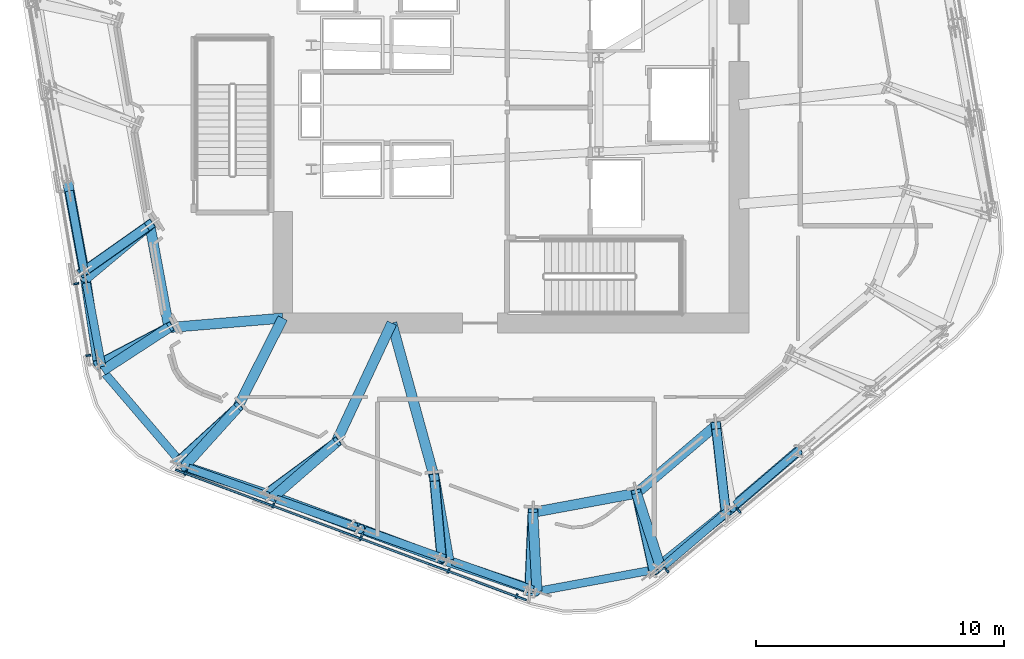
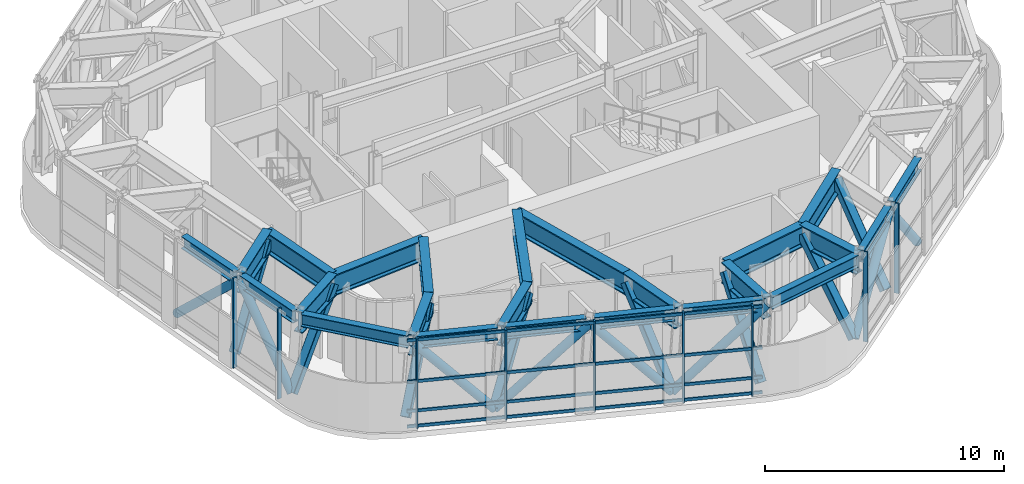
# One storey, part 2 of 16: 29 members, 24 beams, 3 elements without a shape of their own.
"""IFC4 building model written with IfcOpenShell, lengths in metres."""

from ifc_helpers import new_model, si_unit, direction, frame, origin, origin_2d, place, context, subcontext, project, spatial, rectangle, hollow_rectangle, hollow_circle, i_section, extrude, material, layer, layer_set, material_profile, profile_set, type_object, element, aggregate, save


model = new_model("IFC4")

# Units and contexts
model_context = context("Model", 3, precision=1e-05, world=origin(), true_north=direction((0.0, 1.0)))
body_context = subcontext(model_context, "Body", "Model", "MODEL_VIEW")
ifc_project = project(units=[si_unit("LENGTHUNIT", "METRE"), si_unit("AREAUNIT", "SQUARE_METRE"), si_unit("VOLUMEUNIT", "CUBIC_METRE"), si_unit("PLANEANGLEUNIT", "RADIAN"), si_unit("MASSUNIT", "GRAM", prefix="KILO")], contexts=[model_context])

# Site, building, storey
site_placement = place(None, origin())
site = spatial("IfcSite", under=ifc_project, at=site_placement, CompositionType="ELEMENT")
building_placement = place(site_placement, origin())
building = spatial("IfcBuilding", under=site, at=building_placement, Name="Valkerne Bourse Tower", CompositionType="ELEMENT")
storey_placement = place(building_placement, frame((0.0, 0.0, 193.199951171875)))
storey = spatial("IfcBuildingStorey", under=building, at=storey_placement, Name="L49", CompositionType="ELEMENT", Elevation=193.199951171875)

# Beams
ifc_material_1 = material(Name="Steel ASTM A992", Category="steel")
ifc_material_profile_1 = material_profile(ifc_material_1, i_section(OverallWidth=0.32763671875, OverallDepth=0.62744140625, WebThickness=0.0166015625, FlangeThickness=0.027587890625, FilletRadius=0.020263671875, at=origin_2d()), Name="W24X146")
ifc_profile_set_1 = profile_set([ifc_material_profile_1], Name="Steel ASTM A992")
beam_type_1 = type_object("IfcBeamType", Name="BM-W24X146", PredefinedType="SPANDREL", material=ifc_profile_set_1)
beam_1_placement = place(storey_placement, frame((28.99169921875, 23.526611328125, 4.286376953125), z_axis=(0.18216570309, -0.983267845817, 0.0), x_axis=(0.983267845817, 0.18216570309, 0.0)))
element("IfcBeam", 1, at=beam_1_placement, inside=storey, type_object=beam_type_1, Name="L49 Hexagonal Spandrel Ring Beam 12", PredefinedType="SPANDREL", context=body_context, shape_type="SweptSolid", body=[
    extrude(i_section(OverallWidth=0.32763671875, OverallDepth=0.62744140625, WebThickness=0.0166015625, FlangeThickness=0.027587890625, FilletRadius=0.020263671875, at=origin_2d()), origin(), (0.0, 0.0, 1.0), 3.430908203125),
])
beam_2_placement = place(storey_placement, frame((29.6787109375, 19.818603515625, 4.286376953125), z_axis=(0.182247249983, -0.983252734486, 0.0), x_axis=(0.983252734486, 0.182247249983, 0.0)))
element("IfcBeam", 2, at=beam_2_placement, inside=storey, type_object=beam_type_1, Name="L49 Hexagonal Spandrel Ring Beam 13", PredefinedType="SPANDREL", context=body_context, shape_type="SweptSolid", body=[
    extrude(i_section(OverallWidth=0.32763671875, OverallDepth=0.62744140625, WebThickness=0.0166015625, FlangeThickness=0.027587890625, FilletRadius=0.020263671875, at=origin_2d()), origin(), (0.0, 0.0, 1.0), 3.4306640625),
])
beam_3_placement = place(storey_placement, frame((30.4453125, 16.148681640625, 4.286376953125), z_axis=(0.649458553521, -0.760396993194, 0.0), x_axis=(0.760396993194, 0.649458553521, 0.0)))
element("IfcBeam", 3, at=beam_3_placement, inside=storey, type_object=beam_type_1, Name="L49 Hexagonal Spandrel Ring Beam 14", PredefinedType="SPANDREL", context=body_context, shape_type="SweptSolid", body=[
    extrude(i_section(OverallWidth=0.32763671875, OverallDepth=0.62744140625, WebThickness=0.0166015625, FlangeThickness=0.027587890625, FilletRadius=0.020263671875, at=origin_2d()), origin(), (0.0, 0.0, 1.0), 4.740234375),
])
for number, where, z_axis, x_axis, name in (
    (4, (33.79443359375, 12.3583984375, 4.286376953125), (0.942627225161, -0.333847142245, 0.0), (0.333847142245, 0.942627225161, 0.0), "L49 Hexagonal Spandrel Ring Beam 15"),
    (5, (37.34912109375, 11.099609375, 4.286376953125), (0.942627225161, -0.333847142245, 0.0), (0.333847142245, 0.942627225161, 0.0), "L49 Hexagonal Spandrel Ring Beam 16"),
):
    element("IfcBeam", number, at=place(storey_placement, frame(where, z_axis=z_axis, x_axis=x_axis)), inside=storey, type_object=beam_type_1, Name=name, PredefinedType="SPANDREL", context=body_context, shape_type="SweptSolid", body=[
        extrude(i_section(OverallWidth=0.32763671875, OverallDepth=0.62744140625, WebThickness=0.0166015625, FlangeThickness=0.027587890625, FilletRadius=0.020263671875, at=origin_2d()), origin(), (0.0, 0.0, 1.0), 3.43115234375),
    ])
beam_4_placement = place(storey_placement, frame((40.904052734375, 9.8408203125, 4.286376953125), z_axis=(0.942619294148, -0.333869534849, 0.0), x_axis=(0.333869534849, 0.942619294148, 0.0)))
element("IfcBeam", 6, at=beam_4_placement, inside=storey, type_object=beam_type_1, Name="L49 Hexagonal Spandrel Ring Beam 17", PredefinedType="SPANDREL", context=body_context, shape_type="SweptSolid", body=[
    extrude(i_section(OverallWidth=0.32763671875, OverallDepth=0.62744140625, WebThickness=0.0166015625, FlangeThickness=0.027587890625, FilletRadius=0.020263671875, at=origin_2d()), origin(), (0.0, 0.0, 1.0), 3.430908203125),
])
beam_5_placement = place(storey_placement, frame((44.45849609375, 8.58203125, 4.286376953125), z_axis=(0.942627225161, -0.333847142245, 0.0), x_axis=(0.333847142245, 0.942627225161, 0.0)))
element("IfcBeam", 7, at=beam_5_placement, inside=storey, type_object=beam_type_1, Name="L49 Hexagonal Spandrel Ring Beam 18", PredefinedType="SPANDREL", context=body_context, shape_type="SweptSolid", body=[
    extrude(i_section(OverallWidth=0.32763671875, OverallDepth=0.62744140625, WebThickness=0.0166015625, FlangeThickness=0.027587890625, FilletRadius=0.020263671875, at=origin_2d()), origin(), (0.0, 0.0, 1.0), 3.43115234375),
])
beam_6_placement = place(storey_placement, frame((48.020263671875, 7.410888671875, 4.286376953125), z_axis=(0.983256036891, 0.182229432086, 0.0), x_axis=(-0.182229432086, 0.983256036891, 0.0)))
element("IfcBeam", 8, at=beam_6_placement, inside=storey, type_object=beam_type_1, Name="L49 Hexagonal Spandrel Ring Beam 19", PredefinedType="SPANDREL", context=body_context, shape_type="SweptSolid", body=[
    extrude(i_section(OverallWidth=0.32763671875, OverallDepth=0.62744140625, WebThickness=0.0166015625, FlangeThickness=0.027587890625, FilletRadius=0.020263671875, at=origin_2d()), origin(), (0.0, 0.0, 1.0), 4.739990234375),
])
beam_7_placement = place(storey_placement, frame((52.977294921875, 8.416015625, 4.286376953125), z_axis=(0.760395641243, 0.649460136405, 0.0), x_axis=(-0.649460136405, 0.760395641243, 0.0)))
element("IfcBeam", 9, at=beam_7_placement, inside=storey, type_object=beam_type_1, Name="L49 Hexagonal Spandrel Ring Beam 20", PredefinedType="SPANDREL", context=body_context, shape_type="SweptSolid", body=[
    extrude(i_section(OverallWidth=0.32763671875, OverallDepth=0.62744140625, WebThickness=0.0166015625, FlangeThickness=0.027587890625, FilletRadius=0.020263671875, at=origin_2d()), origin(), (0.0, 0.0, 1.0), 3.430908203125),
])
beam_8_placement = place(storey_placement, frame((55.844970703125, 10.864990234375, 4.286376953125), z_axis=(0.760360500555, 0.649501277285, 0.0), x_axis=(-0.649501277285, 0.760360500555, 0.0)))
element("IfcBeam", 10, at=beam_8_placement, inside=storey, type_object=beam_type_1, Name="L49 Hexagonal Spandrel Ring Beam 21", PredefinedType="SPANDREL", context=body_context, shape_type="SweptSolid", body=[
    extrude(i_section(OverallWidth=0.32763671875, OverallDepth=0.62744140625, WebThickness=0.0166015625, FlangeThickness=0.027587890625, FilletRadius=0.020263671875, at=origin_2d()), origin(), (0.0, 0.0, 1.0), 3.43115234375),
])
ifc_material_2 = material(Name="Steel ASTM A913 Grade 65", Category="steel")
ifc_material_profile_2 = material_profile(ifc_material_2, i_section(OverallWidth=0.408935546875, OverallDepth=1.06689453125, WebThickness=0.031005859375, FlangeThickness=0.055908203125, FilletRadius=0.030517578125, at=origin_2d()), Name="W40X397")
ifc_profile_set_2 = profile_set([ifc_material_profile_2], Name="Steel ASTM A913 Grade 65")
beam_type_2 = type_object("IfcBeamType", Name="BM-W40X397", PredefinedType="BEAM", material=ifc_profile_set_2)
beam_9_placement = place(storey_placement, frame((29.647705078125, 19.98583984375, 4.066650390625), z_axis=(0.766217908459, 0.642580825077, 0.0), x_axis=(-0.642580825077, 0.766217908459, 0.0)))
element("IfcBeam", 11, at=beam_9_placement, inside=storey, type_object=beam_type_2, Name="L49 Radial Setback Transfer Girder Out 10", PredefinedType="BEAM", context=body_context, shape_type="SweptSolid", body=[
    extrude(i_section(OverallWidth=0.408935546875, OverallDepth=1.06689453125, WebThickness=0.031005859375, FlangeThickness=0.055908203125, FilletRadius=0.030517578125, at=origin_2d()), origin(), (0.0, 0.0, 1.0), 3.382568359375),
])
beam_10_placement = place(storey_placement, frame((32.239501953125, 22.159423828125, 4.066650390625), z_axis=(0.182240780933, -0.983253933511, 0.0), x_axis=(0.983253933511, 0.182240780933, 0.0)))
element("IfcBeam", 12, at=beam_10_placement, inside=storey, type_object=beam_type_2, Name="L49 Setback Ring Transfer Girder 10", PredefinedType="BEAM", context=body_context, shape_type="SweptSolid", body=[
    extrude(i_section(OverallWidth=0.408935546875, OverallDepth=1.06689453125, WebThickness=0.031005859375, FlangeThickness=0.055908203125, FilletRadius=0.030517578125, at=origin_2d()), origin(), (0.0, 0.0, 1.0), 4.2119140625),
])
beam_11_placement = place(storey_placement, frame((30.3349609375, 16.278076171875, 4.066650390625), z_axis=(0.837997270501, 0.545674421824, 0.0), x_axis=(-0.545674421824, 0.837997270501, 0.0)))
element("IfcBeam", 13, at=beam_11_placement, inside=storey, type_object=beam_type_2, Name="L49 Radial Setback Transfer Girder Out 11", PredefinedType="BEAM", context=body_context, shape_type="SweptSolid", body=[
    extrude(i_section(OverallWidth=0.408935546875, OverallDepth=1.06689453125, WebThickness=0.031005859375, FlangeThickness=0.055908203125, FilletRadius=0.030517578125, at=origin_2d()), origin(), (0.0, 0.0, 1.0), 3.188720703125),
])
beam_12_placement = place(storey_placement, frame((33.007080078125, 18.01806640625, 4.066650390625), z_axis=(0.996562178304, 0.082848203203, 0.0), x_axis=(-0.082848203203, 0.996562178304, 0.0)))
element("IfcBeam", 14, at=beam_12_placement, inside=storey, type_object=beam_type_2, Name="L49 Radial Setback Transfer Girder In 11", PredefinedType="BEAM", context=body_context, shape_type="SweptSolid", body=[
    extrude(i_section(OverallWidth=0.408935546875, OverallDepth=1.06689453125, WebThickness=0.031005859375, FlangeThickness=0.055908203125, FilletRadius=0.030517578125, at=origin_2d()), origin(), (0.0, 0.0, 1.0), 4.60888671875),
])
beam_13_placement = place(storey_placement, frame((33.63427734375, 12.4150390625, 4.066650390625), z_axis=(0.670084930182, 0.742284437627, 0.0), x_axis=(-0.742284437627, 0.670084930182, 0.0)))
element("IfcBeam", 15, at=beam_13_placement, inside=storey, type_object=beam_type_2, Name="L49 Radial Setback Transfer Girder Out 12", PredefinedType="BEAM", context=body_context, shape_type="SweptSolid", body=[
    extrude(i_section(OverallWidth=0.408935546875, OverallDepth=1.06689453125, WebThickness=0.031005859375, FlangeThickness=0.055908203125, FilletRadius=0.030517578125, at=origin_2d()), origin(), (0.0, 0.0, 1.0), 3.188720703125),
])
beam_14_placement = place(storey_placement, frame((35.77099609375, 14.781982421875, 4.066650390625), z_axis=(0.451183837233, 0.89243103096, 0.0), x_axis=(-0.89243103096, 0.451183837233, 0.0)))
element("IfcBeam", 16, at=beam_14_placement, inside=storey, type_object=beam_type_2, Name="L49 Radial Setback Transfer Girder In 12", PredefinedType="BEAM", context=body_context, shape_type="SweptSolid", body=[
    extrude(i_section(OverallWidth=0.408935546875, OverallDepth=1.06689453125, WebThickness=0.031005859375, FlangeThickness=0.055908203125, FilletRadius=0.030517578125, at=origin_2d()), origin(), (0.0, 0.0, 1.0), 4.053955078125),
])
beam_15_placement = place(storey_placement, frame((37.18896484375, 11.15625, 4.066650390625), z_axis=(0.754580660776, 0.656207304426, 0.0), x_axis=(-0.656207304426, 0.754580660776, 0.0)))
element("IfcBeam", 17, at=beam_15_placement, inside=storey, type_object=beam_type_2, Name="L49 Radial Setback Transfer Girder Out 13", PredefinedType="BEAM", context=body_context, shape_type="SweptSolid", body=[
    extrude(i_section(OverallWidth=0.408935546875, OverallDepth=1.06689453125, WebThickness=0.031005859375, FlangeThickness=0.055908203125, FilletRadius=0.030517578125, at=origin_2d()), origin(), (0.0, 0.0, 1.0), 3.382568359375),
])
beam_16_placement = place(storey_placement, frame((39.741455078125, 13.3759765625, 4.066650390625), z_axis=(0.424019298676, 0.905653153448, 0.0), x_axis=(-0.905653153448, 0.424019298676, 0.0)))
element("IfcBeam", 18, at=beam_16_placement, inside=storey, type_object=beam_type_2, Name="L49 Radial Setback Transfer Girder In 13", PredefinedType="BEAM", context=body_context, shape_type="SweptSolid", body=[
    extrude(i_section(OverallWidth=0.408935546875, OverallDepth=1.06689453125, WebThickness=0.031005859375, FlangeThickness=0.055908203125, FilletRadius=0.030517578125, at=origin_2d()), origin(), (0.0, 0.0, 1.0), 5.326416015625),
])
beam_17_placement = place(storey_placement, frame((44.29833984375, 8.638671875, 4.066650390625), z_axis=(-0.173369452232, 0.984856859159, 0.0), x_axis=(-0.984856859159, -0.173369452232, 0.0)))
element("IfcBeam", 19, at=beam_17_placement, inside=storey, type_object=beam_type_2, Name="L49 Radial Setback Transfer Girder Out 14", PredefinedType="BEAM", context=body_context, shape_type="SweptSolid", body=[
    extrude(i_section(OverallWidth=0.408935546875, OverallDepth=1.06689453125, WebThickness=0.031005859375, FlangeThickness=0.055908203125, FilletRadius=0.030517578125, at=origin_2d()), origin(), (0.0, 0.0, 1.0), 3.382568359375),
])
beam_18_placement = place(storey_placement, frame((43.7119140625, 11.969970703125, 4.066650390625), z_axis=(-0.264965015947, 0.964258025802, 0.0), x_axis=(-0.964258025802, -0.264965015947, 0.0)))
element("IfcBeam", 20, at=beam_18_placement, inside=storey, type_object=beam_type_2, Name="L49 Radial Setback Transfer Girder In 14", PredefinedType="BEAM", context=body_context, shape_type="SweptSolid", body=[
    extrude(i_section(OverallWidth=0.408935546875, OverallDepth=1.06689453125, WebThickness=0.031005859375, FlangeThickness=0.055908203125, FilletRadius=0.030517578125, at=origin_2d()), origin(), (0.0, 0.0, 1.0), 6.4609375),
])
beam_19_placement = place(storey_placement, frame((47.85302734375, 7.3798828125, 4.066650390625), z_axis=(-0.053595606947, 0.998562722575, 0.0), x_axis=(-0.998562722575, -0.053595606947, 0.0)))
element("IfcBeam", 21, at=beam_19_placement, inside=storey, type_object=beam_type_2, Name="L49 Radial Setback Transfer Girder Out 15", PredefinedType="BEAM", context=body_context, shape_type="SweptSolid", body=[
    extrude(i_section(OverallWidth=0.408935546875, OverallDepth=1.06689453125, WebThickness=0.031005859375, FlangeThickness=0.055908203125, FilletRadius=0.030517578125, at=origin_2d()), origin(), (0.0, 0.0, 1.0), 3.188720703125),
])
beam_20_placement = place(storey_placement, frame((47.68212890625, 10.56396484375, 4.066650390625), z_axis=(0.983251939152, 0.18225154088, 0.0), x_axis=(-0.18225154088, 0.983251939152, 0.0)))
element("IfcBeam", 22, at=beam_20_placement, inside=storey, type_object=beam_type_2, Name="L49 Setback Ring Transfer Girder 15", PredefinedType="BEAM", context=body_context, shape_type="SweptSolid", body=[
    extrude(i_section(OverallWidth=0.408935546875, OverallDepth=1.06689453125, WebThickness=0.031005859375, FlangeThickness=0.055908203125, FilletRadius=0.030517578125, at=origin_2d()), origin(), (0.0, 0.0, 1.0), 4.255859375),
])
beam_21_placement = place(storey_placement, frame((52.84814453125, 8.3056640625, 4.066650390625), z_axis=(-0.307785630743, 0.951455729663, 0.0), x_axis=(-0.951455729663, -0.307785630743, 0.0)))
element("IfcBeam", 23, at=beam_21_placement, inside=storey, type_object=beam_type_2, Name="L49 Radial Setback Transfer Girder Out 16", PredefinedType="BEAM", context=body_context, shape_type="SweptSolid", body=[
    extrude(i_section(OverallWidth=0.408935546875, OverallDepth=1.06689453125, WebThickness=0.031005859375, FlangeThickness=0.055908203125, FilletRadius=0.030517578125, at=origin_2d()), origin(), (0.0, 0.0, 1.0), 3.188720703125),
])
beam_22_placement = place(storey_placement, frame((51.86669921875, 11.339599609375, 4.066650390625), z_axis=(0.760401111474, 0.649453731739, 0.0), x_axis=(-0.649453731739, 0.760401111474, 0.0)))
element("IfcBeam", 24, at=beam_22_placement, inside=storey, type_object=beam_type_2, Name="L49 Setback Ring Transfer Girder 16", PredefinedType="BEAM", context=body_context, shape_type="SweptSolid", body=[
    extrude(i_section(OverallWidth=0.408935546875, OverallDepth=1.06689453125, WebThickness=0.031005859375, FlangeThickness=0.055908203125, FilletRadius=0.030517578125, at=origin_2d()), origin(), (0.0, 0.0, 1.0), 4.211669921875),
])

# Curtain wall, members
ifc_material_3 = material(Name="Aluminium AA 6063-T6", Category="aluminium")
ifc_layer = layer(ifc_material_3, 0.25)
ifc_layer_set = layer_set([ifc_layer], Name="Aluminium AA 6063-T6")
curtain_wall_type = type_object("IfcCurtainWallType", Name="CW-06", PredefinedType="NOTDEFINED", material=ifc_layer_set)
curtain_wall_1_placement = place(storey_placement, origin())
curtain_wall_1 = element("IfcCurtainWall", 25, at=curtain_wall_1_placement, inside=storey, type_object=curtain_wall_type, Name="L49 Hexagonal Stick Curtain Wall Face 3", PredefinedType="NOTDEFINED")
ifc_material_profile_3 = material_profile(ifc_material_3, rectangle(XDim=0.074951171875, YDim=0.199951171875, at=origin_2d()), Name="CWM-75X200")
ifc_profile_set_3 = profile_set([ifc_material_profile_3], Name="Aluminium AA 6063-T6")
member_type_1 = type_object("IfcMemberType", Name="CW-MUL-220X75", PredefinedType="MULLION", material=ifc_profile_set_3)
member_1_placement = place(storey_placement, frame((29.2744140625, 19.785400390625, 0.0), z_axis=(0.0, 0.0, 1.0), x_axis=(0.166772238259, -0.985995446514, 0.0)))
member_1 = element("IfcMember", 26, at=member_1_placement, type_object=member_type_1, Name="CW-L49-F3 Jamb Mullion 03A", PredefinedType="MULLION", context=body_context, shape_type="SweptSolid", body=[
    extrude(rectangle(XDim=0.074951171875, YDim=0.199951171875, at=origin_2d()), origin(), (0.0, 0.0, 1.0), 4.60009765625),
])
member_2_placement = place(storey_placement, frame((29.76318359375, 16.895263671875, 0.0), z_axis=(0.0, 0.0, 1.0), x_axis=(0.166772238259, -0.985995446514, 0.0)))
member_2 = element("IfcMember", 27, at=member_2_placement, type_object=member_type_1, Name="CW-L49-F3 Jamb Mullion 03B", PredefinedType="MULLION", context=body_context, shape_type="SweptSolid", body=[
    extrude(rectangle(XDim=0.074951171875, YDim=0.199951171875, at=origin_2d()), origin(), (0.0, 0.0, 1.0), 4.60009765625),
])
aggregate(curtain_wall_1, [member_1, member_2])

curtain_wall_2_placement = place(storey_placement, origin())
curtain_wall_2 = element("IfcCurtainWall", 28, at=curtain_wall_2_placement, inside=storey, type_object=curtain_wall_type, Name="L49 Hexagonal Stick Curtain Wall Face 4", PredefinedType="NOTDEFINED")
member_3_placement = place(storey_placement, frame((33.681884765625, 12.158447265625, 0.0), z_axis=(0.0, 0.0, 1.0), x_axis=(0.937279283548, -0.348579323298, 0.0)))
member_3 = element("IfcMember", 29, at=member_3_placement, type_object=member_type_1, Name="CW-L49-F4 Jamb Mullion 00A", PredefinedType="MULLION", context=body_context, shape_type="SweptSolid", body=[
    extrude(rectangle(XDim=0.074951171875, YDim=0.199951171875, at=origin_2d()), origin(), (0.0, 0.0, 1.0), 4.60009765625),
])
member_4_placement = place(storey_placement, frame((37.216552734375, 10.843994140625, 0.0), z_axis=(0.0, 0.0, 1.0), x_axis=(0.9372879472, -0.348556027107, 0.0)))
member_4 = element("IfcMember", 30, at=member_4_placement, type_object=member_type_1, Name="CW-L49-F4 Jamb Mullion 01A", PredefinedType="MULLION", context=body_context, shape_type="SweptSolid", body=[
    extrude(rectangle(XDim=0.074951171875, YDim=0.199951171875, at=origin_2d()), origin(), (0.0, 0.0, 1.0), 4.60009765625),
])
member_5_placement = place(storey_placement, frame((40.7509765625, 9.529541015625, 0.0), z_axis=(0.0, 0.0, 1.0), x_axis=(0.937279283548, -0.348579323298, 0.0)))
member_5 = element("IfcMember", 31, at=member_5_placement, type_object=member_type_1, Name="CW-L49-F4 Jamb Mullion 02A", PredefinedType="MULLION", context=body_context, shape_type="SweptSolid", body=[
    extrude(rectangle(XDim=0.074951171875, YDim=0.199951171875, at=origin_2d()), origin(), (0.0, 0.0, 1.0), 4.60009765625),
])
member_6_placement = place(storey_placement, frame((44.285400390625, 8.215087890625, 0.0), z_axis=(0.0, 0.0, 1.0), x_axis=(0.937279283548, -0.348579323298, 0.0)))
member_6 = element("IfcMember", 32, at=member_6_placement, type_object=member_type_1, Name="CW-L49-F4 Jamb Mullion 03A", PredefinedType="MULLION", context=body_context, shape_type="SweptSolid", body=[
    extrude(rectangle(XDim=0.074951171875, YDim=0.199951171875, at=origin_2d()), origin(), (0.0, 0.0, 1.0), 4.60009765625),
])
member_7_placement = place(storey_placement, frame((47.03271484375, 7.193359375, 0.0), z_axis=(0.0, 0.0, 1.0), x_axis=(0.937279283548, -0.348579323298, 0.0)))
member_7 = element("IfcMember", 33, at=member_7_placement, type_object=member_type_1, Name="CW-L49-F4 Jamb Mullion 03B", PredefinedType="MULLION", context=body_context, shape_type="SweptSolid", body=[
    extrude(rectangle(XDim=0.074951171875, YDim=0.199951171875, at=origin_2d()), origin(), (0.0, 0.0, 1.0), 4.60009765625),
])

curtain_wall_3_placement = place(storey_placement, origin())
curtain_wall_3 = element("IfcCurtainWall", 34, at=curtain_wall_3_placement, inside=storey, type_object=curtain_wall_type, Name="L49 Hexagonal Stick Curtain Wall Face 5", PredefinedType="NOTDEFINED")
member_8_placement = place(storey_placement, frame((53.093994140625, 8.21875, 0.0), z_axis=(0.0, 0.0, 1.0), x_axis=(0.770503001355, 0.637436369297, 0.0)))
member_8 = element("IfcMember", 35, at=member_8_placement, type_object=member_type_1, Name="CW-L49-F5 Jamb Mullion 00A", PredefinedType="MULLION", context=body_context, shape_type="SweptSolid", body=[
    extrude(rectangle(XDim=0.074951171875, YDim=0.199951171875, at=origin_2d()), origin(), (0.0, 0.0, 1.0), 4.60009765625),
])
member_9_placement = place(storey_placement, frame((55.99951171875, 10.622314453125, 0.0), z_axis=(0.0, 0.0, 1.0), x_axis=(0.770516025568, 0.637420625915, 0.0)))
member_9 = element("IfcMember", 36, at=member_9_placement, type_object=member_type_1, Name="CW-L49-F5 Jamb Mullion 01A", PredefinedType="MULLION", context=body_context, shape_type="SweptSolid", body=[
    extrude(rectangle(XDim=0.074951171875, YDim=0.199951171875, at=origin_2d()), origin(), (0.0, 0.0, 1.0), 4.60009765625),
])
aggregate(curtain_wall_3, [member_8, member_9])

# Member
ifc_material_profile_4 = material_profile(ifc_material_3, rectangle(XDim=0.074951171875, YDim=0.14990234375, at=origin_2d()), Name="CWT-75X150")
ifc_profile_set_4 = profile_set([ifc_material_profile_4], Name="Aluminium AA 6063-T6")
member_type_2 = type_object("IfcMemberType", Name="CW-TRN-180X65", PredefinedType="USERDEFINED", material=ifc_profile_set_4)
member_10_placement = place(storey_placement, frame((33.28125, 12.2861328125, 0.1201171875), z_axis=(0.937282856986, -0.348569714691, 0.0), x_axis=(0.348569714691, 0.937282856986, 0.0)))
member_10 = element("IfcMember", 37, at=member_10_placement, type_object=member_type_2, Name="CW-L49-F4 Continuous Face Transom 1", ObjectType="TRANSOM", PredefinedType="USERDEFINED", context=body_context, shape_type="SweptSolid", body=[
    extrude(rectangle(XDim=0.074951171875, YDim=0.14990234375, at=origin_2d()), origin(), (0.0, 0.0, 1.0), 15.083984375),
])

member_11_placement = place(storey_placement, frame((33.28125, 12.2861328125, 0.900146484375), z_axis=(0.937282856986, -0.348569714691, 0.0), x_axis=(0.348569714691, 0.937282856986, 0.0)))
member_11 = element("IfcMember", 38, at=member_11_placement, type_object=member_type_2, Name="CW-L49-F4 Continuous Face Transom 2", ObjectType="TRANSOM", PredefinedType="USERDEFINED", context=body_context, shape_type="SweptSolid", body=[
    extrude(rectangle(XDim=0.074951171875, YDim=0.14990234375, at=origin_2d()), origin(), (0.0, 0.0, 1.0), 15.083984375),
])

member_12_placement = place(storey_placement, frame((33.28125, 12.2861328125, 2.400146484375), z_axis=(0.937282856986, -0.348569714691, 0.0), x_axis=(0.348569714691, 0.937282856986, 0.0)))
member_12 = element("IfcMember", 39, at=member_12_placement, type_object=member_type_2, Name="CW-L49-F4 Continuous Face Transom 3", ObjectType="TRANSOM", PredefinedType="USERDEFINED", context=body_context, shape_type="SweptSolid", body=[
    extrude(rectangle(XDim=0.074951171875, YDim=0.14990234375, at=origin_2d()), origin(), (0.0, 0.0, 1.0), 15.083984375),
])

member_13_placement = place(storey_placement, frame((33.28125, 12.2861328125, 4.52001953125), z_axis=(0.937282856986, -0.348569714691, 0.0), x_axis=(0.348569714691, 0.937282856986, 0.0)))
member_13 = element("IfcMember", 40, at=member_13_placement, type_object=member_type_2, Name="CW-L49-F4 Continuous Face Transom 4", ObjectType="TRANSOM", PredefinedType="USERDEFINED", context=body_context, shape_type="SweptSolid", body=[
    extrude(rectangle(XDim=0.074951171875, YDim=0.14990234375, at=origin_2d()), origin(), (0.0, 0.0, 1.0), 15.083984375),
])

aggregate(curtain_wall_2, [member_10, member_11, member_12, member_13, member_3, member_4, member_5, member_6, member_7])

# Members
ifc_material_4 = material(Name="Steel ASTM A500 Grade C", Category="steel")
ifc_material_profile_5 = material_profile(ifc_material_4, hollow_circle(Radius=0.203125, WallThickness=0.01416015625, at=origin_2d()), Name="CHS406X14.2")
ifc_profile_set_5 = profile_set([ifc_material_profile_5], Name="Steel ASTM A500 Grade C")
member_type_3 = type_object("IfcMemberType", Name="MBR-CHS406X14.2", PredefinedType="BRACE", material=ifc_profile_set_5)
member_14_placement = place(storey_placement, frame((28.910888671875, 23.974365234375, 0.35009765625), z_axis=(0.130948521213, -0.708848903599, 0.693098634149), x_axis=(0.983361342892, 0.181660312961, 0.0)))
element("IfcMember", 41, at=member_14_placement, inside=storey, type_object=member_type_3, Name="L49 Perimeter Belt Truss Diagonal 12", PredefinedType="BRACE", context=body_context, shape_type="SweptSolid", body=[
    extrude(hollow_circle(Radius=0.203125, WallThickness=0.01416015625, at=origin_2d()), origin(), (0.0, 0.0, 1.0), 5.626708984375),
])
for number, where, z_axis, x_axis, name in (
    (42, (30.168701171875, 16.537841796875, 0.35009765625), (-0.099586874053, 0.659074705836, 0.74545488572), (-0.98877607073, -0.14940509346, 0.0), "L49 Perimeter Belt Truss Diagonal 13"),
    (43, (36.94140625, 11.30908203125, 0.35009765625), (-0.632146653911, 0.211399995734, 0.745453318292), (-0.317151766818, -0.948374797643, 0.0), "L49 Perimeter Belt Truss Diagonal 15"),
):
    element("IfcMember", number, at=place(storey_placement, frame(where, z_axis=z_axis, x_axis=x_axis)), inside=storey, type_object=member_type_3, Name=name, PredefinedType="BRACE", context=body_context, shape_type="SweptSolid", body=[
        extrude(hollow_circle(Radius=0.203125, WallThickness=0.01416015625, at=origin_2d()), origin(), (0.0, 0.0, 1.0), 5.231689453125),
    ])
member_15_placement = place(storey_placement, frame((36.94140625, 11.30908203125, 0.35009765625), z_axis=(0.675758799921, -0.250882071475, 0.69311487543), x_axis=(0.348047481372, 0.937476906761, 0.0)))
element("IfcMember", 44, at=member_15_placement, inside=storey, type_object=member_type_3, Name="L49 Perimeter Belt Truss Diagonal 16", PredefinedType="BRACE", context=body_context, shape_type="SweptSolid", body=[
    extrude(hollow_circle(Radius=0.203125, WallThickness=0.01416015625, at=origin_2d()), origin(), (0.0, 0.0, 1.0), 5.626708984375),
])
member_16_placement = place(storey_placement, frame((44.01025390625, 8.68017578125, 0.35009765625), z_axis=(-0.624488679137, 0.232713045903, 0.745559204823), x_axis=(-0.349188607945, -0.937052461755, 0.0)))
element("IfcMember", 45, at=member_16_placement, inside=storey, type_object=member_type_3, Name="L49 Perimeter Belt Truss Diagonal 17", PredefinedType="BRACE", context=body_context, shape_type="SweptSolid", body=[
    extrude(hollow_circle(Radius=0.203125, WallThickness=0.01416015625, at=origin_2d()), origin(), (0.0, 0.0, 1.0), 5.23095703125),
])
for number, where, z_axis, x_axis, name in (
    (46, (44.01025390625, 8.68017578125, 0.35009765625), (0.682876160136, -0.231067244529, 0.693028194537), (0.320521410948, 0.947241270809, 0.0), "L49 Perimeter Belt Truss Diagonal 18"),
    (47, (52.5537109375, 8.212890625, 0.35009765625), (0.561874235601, 0.45167729649, 0.693025946992), (-0.626535408641, 0.779392957191, 0.0), "L49 Perimeter Belt Truss Diagonal 20"),
):
    element("IfcMember", number, at=place(storey_placement, frame(where, z_axis=z_axis, x_axis=x_axis)), inside=storey, type_object=member_type_3, Name=name, PredefinedType="BRACE", context=body_context, shape_type="SweptSolid", body=[
        extrude(hollow_circle(Radius=0.203125, WallThickness=0.01416015625, at=origin_2d()), origin(), (0.0, 0.0, 1.0), 5.62744140625),
    ])
member_17_placement = place(storey_placement, frame((58.364990234375, 13.0205078125, 0.35009765625), z_axis=(-0.506488512589, -0.433166226072, 0.74554436971), x_axis=(0.649954730027, -0.759972926436, 0.0)))
element("IfcMember", 48, at=member_17_placement, inside=storey, type_object=member_type_3, Name="L49 Perimeter Belt Truss Diagonal 21", PredefinedType="BRACE", context=body_context, shape_type="SweptSolid", body=[
    extrude(hollow_circle(Radius=0.203125, WallThickness=0.01416015625, at=origin_2d()), origin(), (0.0, 0.0, 1.0), 5.23095703125),
])
ifc_material_profile_6 = material_profile(ifc_material_4, hollow_rectangle(XDim=0.39990234375, YDim=0.39990234375, WallThickness=0.01611328125, OuterFilletRadius=0.031982421875, at=origin_2d()), Name="HSS400X400X16")
ifc_profile_set_6 = profile_set([ifc_material_profile_6], Name="Steel ASTM A500 Grade C")
member_type_4 = type_object("IfcMemberType", Name="MBR-HSS400X400X16", PredefinedType="BRACE", material=ifc_profile_set_6)
member_18_placement = place(storey_placement, frame((29.539794921875, 20.256103515625, 0.35009765625), z_axis=(0.542948871233, 0.38278435523, 0.747450774713), x_axis=(-0.576207204117, 0.817303650991, 0.0)))
element("IfcMember", 49, at=member_18_placement, inside=storey, type_object=member_type_4, Name="L49 Setback Outrigger Knee Strut 10", PredefinedType="BRACE", context=body_context, shape_type="SweptSolid", body=[
    extrude(hollow_rectangle(XDim=0.39990234375, YDim=0.39990234375, WallThickness=0.01611328125, OuterFilletRadius=0.031982421875, at=origin_2d()), origin(), (0.0, 0.0, 1.0), 4.972412109375),
])
member_19_placement = place(storey_placement, frame((30.168701171875, 16.537841796875, 0.35009765625), z_axis=(0.578656103203, 0.301771198496, 0.757688100728), x_axis=(-0.462401794182, 0.886670502914, 0.0)))
element("IfcMember", 50, at=member_19_placement, inside=storey, type_object=member_type_4, Name="L49 Setback Outrigger Knee Strut 11", PredefinedType="BRACE", context=body_context, shape_type="SweptSolid", body=[
    extrude(hollow_rectangle(XDim=0.39990234375, YDim=0.39990234375, WallThickness=0.01611328125, OuterFilletRadius=0.031982421875, at=origin_2d()), origin(), (0.0, 0.0, 1.0), 4.905029296875),
])
member_20_placement = place(storey_placement, frame((33.40673828125, 12.62353515625, 0.35009765625), z_axis=(0.481986220652, 0.440028931927, 0.757669995558), x_axis=(-0.674231389425, 0.738520164596, 0.0)))
element("IfcMember", 51, at=member_20_placement, inside=storey, type_object=member_type_4, Name="L49 Setback Outrigger Knee Strut 12", PredefinedType="BRACE", context=body_context, shape_type="SweptSolid", body=[
    extrude(hollow_rectangle(XDim=0.39990234375, YDim=0.39990234375, WallThickness=0.01611328125, OuterFilletRadius=0.031982421875, at=origin_2d()), origin(), (0.0, 0.0, 1.0), 4.9052734375),
])
member_21_placement = place(storey_placement, frame((36.94140625, 11.30908203125, 0.35009765625), z_axis=(0.549927531625, 0.405936566635, 0.729928225122), x_axis=(-0.593887976101, 0.804547743669, 0.0)))
element("IfcMember", 52, at=member_21_placement, inside=storey, type_object=member_type_4, Name="L49 Setback Outrigger Knee Strut 13", PredefinedType="BRACE", context=body_context, shape_type="SweptSolid", body=[
    extrude(hollow_rectangle(XDim=0.39990234375, YDim=0.39990234375, WallThickness=0.01611328125, OuterFilletRadius=0.031982421875, at=origin_2d()), origin(), (0.0, 0.0, 1.0), 5.091552734375),
])
member_22_placement = place(storey_placement, frame((44.01025390625, 8.68017578125, 0.35009765625), z_axis=(-0.059999455634, 0.661614291873, 0.747440027101), x_axis=(-0.995913173754, -0.090315836611, 0.0)))
element("IfcMember", 53, at=member_22_placement, inside=storey, type_object=member_type_4, Name="L49 Setback Outrigger Knee Strut 14", PredefinedType="BRACE", context=body_context, shape_type="SweptSolid", body=[
    extrude(hollow_rectangle(XDim=0.39990234375, YDim=0.39990234375, WallThickness=0.01611328125, OuterFilletRadius=0.031982421875, at=origin_2d()), origin(), (0.0, 0.0, 1.0), 4.972412109375),
])
member_23_placement = place(storey_placement, frame((47.544921875, 7.36572265625, 0.35009765625), z_axis=(0.027972124959, 0.652019282851, 0.757686224644), x_axis=(-0.999081030563, 0.042861338868, 0.0)))
element("IfcMember", 54, at=member_23_placement, inside=storey, type_object=member_type_4, Name="L49 Setback Outrigger Knee Strut 15", PredefinedType="BRACE", context=body_context, shape_type="SweptSolid", body=[
    extrude(hollow_rectangle(XDim=0.39990234375, YDim=0.39990234375, WallThickness=0.01611328125, OuterFilletRadius=0.031982421875, at=origin_2d()), origin(), (0.0, 0.0, 1.0), 4.905029296875),
])
member_24_placement = place(storey_placement, frame((52.5537109375, 8.212890625, 0.35009765625), z_axis=(-0.140057632707, 0.637426475508, 0.757674961869), x_axis=(-0.976701084489, -0.214604267334, 0.0)))
element("IfcMember", 55, at=member_24_placement, inside=storey, type_object=member_type_4, Name="L49 Setback Outrigger Knee Strut 16", PredefinedType="BRACE", context=body_context, shape_type="SweptSolid", body=[
    extrude(hollow_rectangle(XDim=0.39990234375, YDim=0.39990234375, WallThickness=0.01611328125, OuterFilletRadius=0.031982421875, at=origin_2d()), origin(), (0.0, 0.0, 1.0), 4.9052734375),
])
member_25_placement = place(storey_placement, frame((55.459228515625, 10.61669921875, 0.35009765625), z_axis=(-0.076575802639, 0.679208668997, 0.729939538873), x_axis=(-0.993704497555, -0.112032903819, 0.0)))
element("IfcMember", 56, at=member_25_placement, inside=storey, type_object=member_type_4, Name="L49 Setback Outrigger Knee Strut 17", PredefinedType="BRACE", context=body_context, shape_type="SweptSolid", body=[
    extrude(hollow_rectangle(XDim=0.39990234375, YDim=0.39990234375, WallThickness=0.01611328125, OuterFilletRadius=0.031982421875, at=origin_2d()), origin(), (0.0, 0.0, 1.0), 5.091552734375),
])

save(model, "model.ifc")
